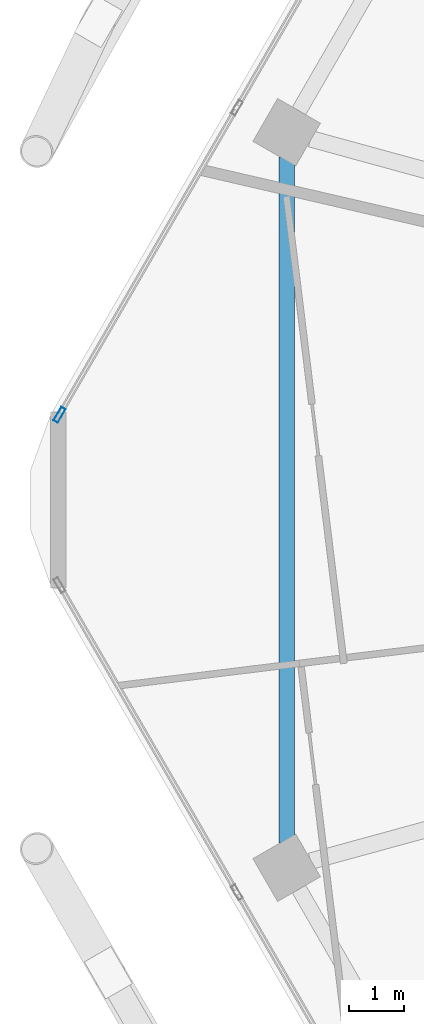
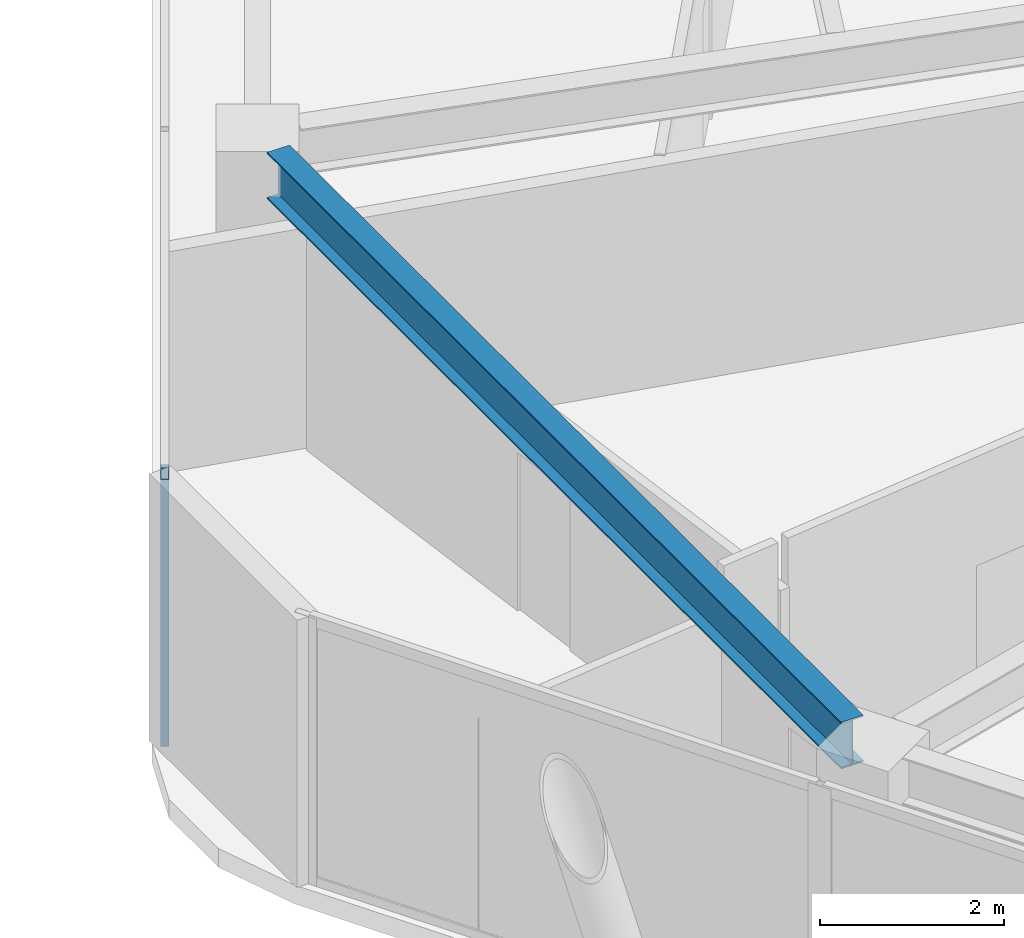
# One storey, part 6 of 28: 1 beam, 1 member, 1 element without a shape of its own.
"""IFC4 building model written with IfcOpenShell, lengths in metres."""

from ifc_helpers import new_model, si_unit, direction, frame, origin, origin_2d, place, context, subcontext, project, spatial, hollow_rectangle, i_section, extrude, material, material_profile, profile_set, type_object, element, aggregate, save


model = new_model("IFC4")

# Units and contexts
model_context = context("Model", 3, precision=1e-05, world=origin(), true_north=direction((0.0, 1.0)))
body_context = subcontext(model_context, "Body", "Model", "MODEL_VIEW")
ifc_project = project(units=[si_unit("LENGTHUNIT", "METRE"), si_unit("AREAUNIT", "SQUARE_METRE"), si_unit("VOLUMEUNIT", "CUBIC_METRE"), si_unit("PLANEANGLEUNIT", "RADIAN"), si_unit("MASSUNIT", "GRAM", prefix="KILO")], contexts=[model_context])

# Site, building, storey
site_placement = place(None, origin())
site = spatial("IfcSite", under=ifc_project, at=site_placement, CompositionType="ELEMENT")
building_placement = place(site_placement, origin())
building = spatial("IfcBuilding", under=site, at=building_placement, Name="Zuhravey Tower", CompositionType="ELEMENT")
storey_placement = place(building_placement, frame((0.0, 0.0, 254.0)))
storey = spatial("IfcBuildingStorey", under=building, at=storey_placement, Name="L64", CompositionType="ELEMENT", Elevation=254.0)

# Curtain wall, member
ifc_material_1 = material(Name="Thermally broken anodised aluminium", Category="aluminium")
curtain_wall_type = type_object("IfcCurtainWallType", Name="Zone 3-4 High-Rise Curtain Wall CW4", PredefinedType="NOTDEFINED", material=ifc_material_1)
curtain_wall_placement = place(storey_placement, origin())
curtain_wall = element("IfcCurtainWall", 1, at=curtain_wall_placement, inside=storey, type_object=curtain_wall_type, Name="L64 CW4 CW-L64-F3-1", PredefinedType="NOTDEFINED")
ifc_material_2 = material(Name="Anodised aluminium", Category="aluminium")
ifc_material_profile_1 = material_profile(ifc_material_2, hollow_rectangle(XDim=0.090087890625, YDim=0.284912109375, WallThickness=0.0048828125, at=origin_2d()), Name="ALU-RHS-90x285x5")
ifc_profile_set_1 = profile_set([ifc_material_profile_1], Name="Anodised aluminium")
member_type = type_object("IfcMemberType", Name="Curtain-Wall Mullion 90x180", PredefinedType="MULLION", material=ifc_profile_set_1)
member_placement = place(storey_placement, frame((7.37744140625, 33.551513671875, 0.0), z_axis=(0.0, 0.0, 1.0), x_axis=(-0.866024851021, 0.500000957414, 0.0)))
member = element("IfcMember", 2, at=member_placement, type_object=member_type, Name="CW4 mullion 1", PredefinedType="MULLION", context=body_context, shape_type="SweptSolid", body=[
    extrude(hollow_rectangle(XDim=0.090087890625, YDim=0.284912109375, WallThickness=0.0048828125, at=origin_2d()), origin(), (0.0, 0.0, 1.0), 3.550048828125),
])
aggregate(curtain_wall, [member])

# Beam
ifc_material_3 = material(Name="Steel SM355", Category="steel")
ifc_material_profile_2 = material_profile(ifc_material_3, i_section(OverallWidth=0.280029296875, OverallDepth=0.6201171875, WebThickness=0.011962890625, FlangeThickness=0.02001953125, at=origin_2d()), Name="H-620x280x12x20")
ifc_profile_set_2 = profile_set([ifc_material_profile_2], Name="Steel SM355")
beam_type = type_object("IfcBeamType", Name="Perimeter Ring Beam H620x280", PredefinedType="BEAM", material=ifc_profile_set_2)
beam_placement = place(storey_placement, frame((11.515380859375, 38.245849609375, 3.239990234375), z_axis=(0.0, -1.0, 0.0), x_axis=(1.0, 0.0, 0.0)))
element("IfcBeam", 3, at=beam_placement, inside=storey, type_object=beam_type, Name="L64 PB3 BM-L64-PB-06", PredefinedType="BEAM", context=body_context, shape_type="SweptSolid", body=[
    extrude(i_section(OverallWidth=0.280029296875, OverallDepth=0.6201171875, WebThickness=0.011962890625, FlangeThickness=0.02001953125, at=origin_2d()), origin(), (0.0, 0.0, 1.0), 12.49169921875),
])

save(model, "model.ifc")
